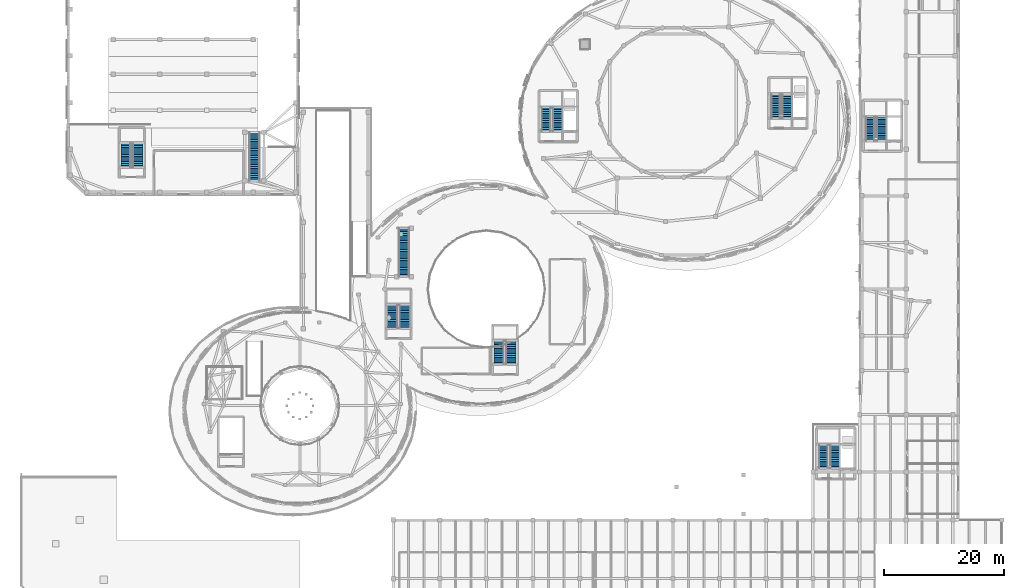
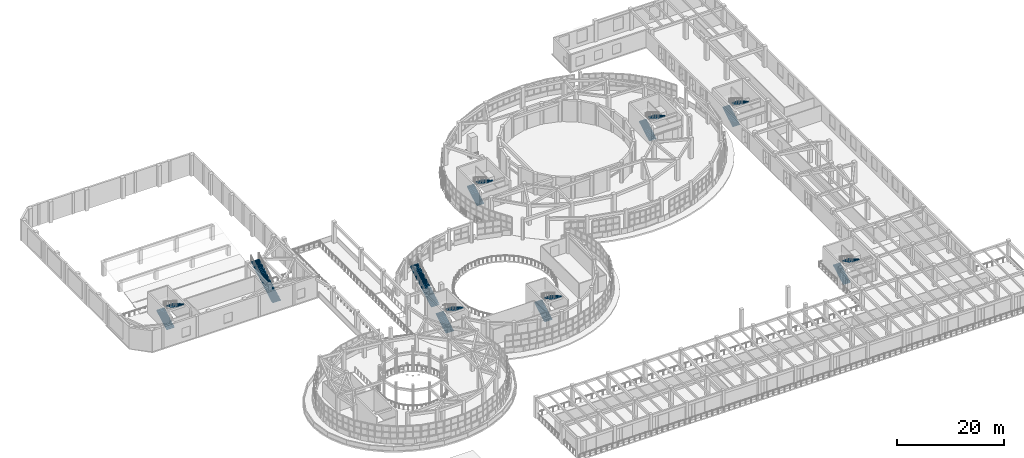
# One storey, part 84 of 98: 16 stair flights, 9 elements without a shape of their own.
"""IFC4 building model written with IfcOpenShell, lengths in metres."""

import ifcopenshell
import ifcopenshell.guid

model = None  # the IFC model being written
_history = None  # IfcOwnerHistory: only IFC2X3 demands one
_inside = {}  # id of a spatial element -> (the spatial element, [elements in it])
_under = {}  # id of a project, library or spatial element -> (it, [spatial elements below it])
_declared = {}  # id of a project -> (the project, [libraries it declares])
_typed = {}  # id of a type object -> (the type object, [elements of that type])
_made_of = {}  # id of a material, layer set ... -> (it, [elements and type objects made of it])


def new_model(schema):
    """Start an empty IFC model of exactly this schema.

    Asked for "IFC4X3", IfcOpenShell would pick the latest addendum, in which some entities
    have other attributes; the version numbers below select the first issue.
    IFC2X3 requires an IfcOwnerHistory on every rooted entity: one is made here for all.
    """
    global model, _history
    if schema == "IFC4X3":
        model = ifcopenshell.file(schema_version=(4, 3, 0, 0))
    else:
        model = ifcopenshell.file(schema=schema)
    _inside.clear()
    _under.clear()
    _declared.clear()
    _typed.clear()
    _made_of.clear()
    _history = None
    if model.schema == "IFC2X3":
        org = make("IfcOrganization", Name="unknown")
        user = make(
            "IfcPersonAndOrganization",
            ThePerson=make("IfcPerson", FamilyName="unknown"),
            TheOrganization=org,
        )
        app = make(
            "IfcApplication",
            ApplicationDeveloper=org,
            Version="unknown",
            ApplicationFullName="unknown",
            ApplicationIdentifier="unknown",
        )
        _history = make(
            "IfcOwnerHistory",
            OwningUser=user,
            OwningApplication=app,
            ChangeAction="ADDED",
            CreationDate=0,
        )
    return model


def make(cls, **values):
    """One entity of the class cls with the attributes given. An attribute that is None is left unset."""
    return model.create_entity(
        cls, **{name: value for name, value in values.items() if value is not None}
    )


def rooted(cls, **values):
    """An entity with a GlobalId (a new one), such as an element, a storey or a relation."""
    return make(cls, GlobalId=ifcopenshell.guid.new(), OwnerHistory=_history, **values)


def si_unit(unit_type, name, prefix=None):
    """IfcSIUnit, for example si_unit("LENGTHUNIT", "METRE", prefix="MILLI")."""
    return make("IfcSIUnit", UnitType=unit_type, Prefix=prefix, Name=name)


def assignment(units):
    """IfcUnitAssignment: the units of a project."""
    return None if units is None else make("IfcUnitAssignment", Units=units)


def point(xyz):
    """IfcCartesianPoint."""
    return None if xyz is None else make("IfcCartesianPoint", Coordinates=xyz)


def direction(xyz):
    """IfcDirection."""
    return None if xyz is None else make("IfcDirection", DirectionRatios=xyz)


def frame(location, z_axis=None, x_axis=None):
    """IfcAxis2Placement3D, a coordinate frame: its origin and axes. An axis left out is left unset."""
    return make(
        "IfcAxis2Placement3D",
        Location=point(location),
        Axis=direction(z_axis),
        RefDirection=direction(x_axis),
    )


def origin():
    """The frame at (0, 0, 0) with its axes left unset."""
    return frame((0.0, 0.0, 0.0))


def place(relative_to, where):
    """IfcLocalPlacement: puts the frame where relative to a parent placement (None: the world)."""
    return make(
        "IfcLocalPlacement", PlacementRelTo=relative_to, RelativePlacement=where
    )


def context(
    kind, dimensions, precision=None, world=None, true_north=None, identifier=None
):
    """IfcGeometricRepresentationContext, for example the 3D "Model" context."""
    return make(
        "IfcGeometricRepresentationContext",
        ContextIdentifier=identifier,
        ContextType=kind,
        CoordinateSpaceDimension=dimensions,
        Precision=precision,
        WorldCoordinateSystem=world,
        TrueNorth=true_north,
    )


def subcontext(parent, identifier, kind, view, scale=None):
    """IfcGeometricRepresentationSubContext, for example "Body" below "Model"."""
    return make(
        "IfcGeometricRepresentationSubContext",
        ContextIdentifier=identifier,
        ContextType=kind,
        ParentContext=parent,
        TargetScale=scale,
        TargetView=view,
    )


def project(units=None, contexts=None):
    """IfcProject with its units and contexts."""
    return rooted(
        "IfcProject",
        Name="project",
        RepresentationContexts=contexts,
        UnitsInContext=assignment(units),
    )


def spatial(cls, under=None, at=None, **own):
    """A site, building, storey or space (cls), placed at a placement, below another one or the project."""
    s = rooted(cls, ObjectPlacement=at, **own)
    if under is not None:
        _under.setdefault(under.id(), (under, []))[1].append(s)
    return s


def polyline(points):
    """IfcPolyline through the points."""
    return make("IfcPolyline", Points=[point(p) for p in points])


def outline(outer, holes=None, kind="AREA"):
    """IfcArbitraryClosedProfileDef: a profile drawn as a closed curve; with holes, ...WithVoids."""
    if holes is None:
        return make("IfcArbitraryClosedProfileDef", ProfileType=kind, OuterCurve=outer)
    return make(
        "IfcArbitraryProfileDefWithVoids",
        ProfileType=kind,
        OuterCurve=outer,
        InnerCurves=holes,
    )


def extrude(swept, where, along, depth):
    """IfcExtrudedAreaSolid: the profile swept, set in the frame where, extruded along a direction by depth."""
    return make(
        "IfcExtrudedAreaSolid",
        SweptArea=swept,
        Position=where,
        ExtrudedDirection=direction(along),
        Depth=depth,
    )


def shape(context_of_items, identifier, shape_type, items):
    """IfcShapeRepresentation: the items that make up one representation, for example the "Body"."""
    return make(
        "IfcShapeRepresentation",
        ContextOfItems=context_of_items,
        RepresentationIdentifier=identifier,
        RepresentationType=shape_type,
        Items=items,
    )


def material(Name=None, Category=None):
    """IfcMaterial."""
    return make("IfcMaterial", Name=Name, Category=Category)


def layer(
    of_material, thickness, ventilated=None, Name=None, Category=None, Priority=None
):
    """IfcMaterialLayer: one layer of a wall or slab, of a material (None: an air gap)."""
    return make(
        "IfcMaterialLayer",
        Material=of_material,
        LayerThickness=thickness,
        IsVentilated=ventilated,
        Name=Name,
        Category=Category,
        Priority=Priority,
    )


def layer_set(layers, Name=None):
    """IfcMaterialLayerSet."""
    return make("IfcMaterialLayerSet", MaterialLayers=layers, LayerSetName=Name)


def made_of(thing, what):
    """Note that an element or type object is made of a material, layer set ...; save() writes the relation."""
    if what is not None:
        _made_of.setdefault(what.id(), (what, []))[1].append(thing)
    return thing


def type_object(cls, material=None, **own):
    """A type object (cls), such as IfcWallType, which elements share."""
    return made_of(rooted(cls, **own), material)


def element(
    cls,
    number,
    at=None,
    inside=None,
    cuts=None,
    type_object=None,
    material=None,
    context=None,
    identifier="Body",
    shape_type=None,
    held_by="IfcProductDefinitionShape",
    body=None,
    shapes=None,
    **own,
):
    """One element of the class cls, such as IfcWall. Its Tag is "e" and its number.

    at: its placement. inside: the storey or other place that contains it. cuts: it is an
    opening in that element (IfcRelVoidsElement). A single representation is given by context,
    identifier, shape_type and body (its items); several are given by shapes. held_by: the class
    of the entity that holds the representations. save() writes the other relations.
    """
    e = rooted(cls, Tag="e%d" % number, ObjectPlacement=at, **own)
    if body is not None:
        shapes = [shape(context, identifier, shape_type, body)]
    if shapes is not None:
        e.Representation = make(held_by, Representations=shapes)
    if inside is not None:
        _inside.setdefault(inside.id(), (inside, []))[1].append(e)
    if cuts is not None:
        rooted(
            "IfcRelVoidsElement", RelatingBuildingElement=cuts, RelatedOpeningElement=e
        )
    if type_object is not None:
        _typed.setdefault(type_object.id(), (type_object, []))[1].append(e)
    return made_of(e, material)


def aggregate(whole, parts):
    """IfcRelAggregates: a whole, such as a stair, and the parts it consists of."""
    return rooted("IfcRelAggregates", RelatingObject=whole, RelatedObjects=parts)


def save(model, path):
    """Write the relations noted so far, then the file.

    IfcRelAggregates (storeys below a building ...), IfcRelContainedInSpatialStructure (elements
    in a storey), IfcRelDefinesByType, IfcRelAssociatesMaterial and IfcRelDeclares: one each for
    every whole, place, type object, material and project.
    """
    for whole, parts in _under.values():
        aggregate(whole, parts)
    for where, things in _inside.values():
        rooted(
            "IfcRelContainedInSpatialStructure",
            RelatedElements=things,
            RelatingStructure=where,
        )
    for kind, things in _typed.values():
        rooted("IfcRelDefinesByType", RelatedObjects=things, RelatingType=kind)
    for what, things in _made_of.values():
        rooted("IfcRelAssociatesMaterial", RelatedObjects=things, RelatingMaterial=what)
    for by, libraries in _declared.values():
        rooted("IfcRelDeclares", RelatingContext=by, RelatedDefinitions=libraries)
    model.write(path)


model = new_model("IFC4")

# Units and contexts
model_context = context("Model", 3, precision=1e-05, world=origin(), true_north=direction((0.0, 1.0)))
body_context = subcontext(model_context, "Body", "Model", "MODEL_VIEW")
ifc_project = project(units=[si_unit("LENGTHUNIT", "METRE"), si_unit("AREAUNIT", "SQUARE_METRE"), si_unit("VOLUMEUNIT", "CUBIC_METRE"), si_unit("PLANEANGLEUNIT", "RADIAN"), si_unit("MASSUNIT", "GRAM", prefix="KILO")], contexts=[model_context])

# Site, building, storey
site_placement = place(None, origin())
site = spatial("IfcSite", under=ifc_project, at=site_placement, CompositionType="ELEMENT")
building_placement = place(site_placement, origin())
building = spatial("IfcBuilding", under=site, at=building_placement, Name="Pelvatis Terrace Science Centre", CompositionType="ELEMENT")
storey_placement = place(building_placement, frame((0.0, 0.0, 5.39990234375)))
storey = spatial("IfcBuildingStorey", under=building, at=storey_placement, Name="L01", CompositionType="ELEMENT", Elevation=5.39990234375)

# Stair, stair flights
ifc_material_1 = material(Name="Concrete C35/45", Category="concrete")
stair_type_1 = type_object("IfcStairType", Name="STR-2RUN-1500-48", PredefinedType="TWO_STRAIGHT_RUN_STAIR", material=ifc_material_1)
stair_1_placement = place(storey_placement, origin())
stair_1 = element("IfcStair", 1, at=stair_1_placement, inside=storey, type_object=stair_type_1, Name="Protected core stair ST-01-L01", PredefinedType="TWO_STRAIGHT_RUN_STAIR")
ifc_material_2 = material(Name="Concrete C35/45", Category="concrete")
ifc_layer_1 = layer(ifc_material_2, 0.179931640625)
ifc_layer_set_1 = layer_set([ifc_layer_1], Name="Concrete C35/45")
stair_flight_type_1 = type_object("IfcStairFlightType", Name="SFL-RC-1500", PredefinedType="STRAIGHT", material=ifc_layer_set_1)
stair_flight_1_placement = place(storey_placement, frame((87.949951171875, 81.0, 0.0), z_axis=(0.0, 0.0, 1.0), x_axis=(0.0, 1.0, 0.0)))
stair_flight_1 = element("IfcStairFlight", 2, at=stair_flight_1_placement, type_object=stair_flight_type_1, Name="ST-01-L01 flight 1", NumberOfRisers=14, NumberOfTreads=13, PredefinedType="STRAIGHT", RiserHeight=0.171428571, TreadLength=0.3, context=body_context, shape_type="SweptSolid", body=[
    extrude(outline(polyline([(0.0, 0.0), (0.0, 0.17138671875), (0.300048828125, 0.17138671875), (0.300048828125, 0.3427734375), (0.60009765625, 0.3427734375), (0.60009765625, 0.514404296875), (0.89990234375, 0.514404296875), (0.89990234375, 0.685791015625), (1.199951171875, 0.685791015625), (1.199951171875, 0.857177734375), (1.5, 0.857177734375), (1.5, 1.028564453125), (1.800048828125, 1.028564453125), (1.800048828125, 1.199951171875), (2.10009765625, 1.199951171875), (2.10009765625, 1.371337890625), (2.39990234375, 1.371337890625), (2.39990234375, 1.54296875), (2.699951171875, 1.54296875), (2.699951171875, 1.71435546875), (3.0, 1.71435546875), (3.0, 1.8857421875), (3.300048828125, 1.8857421875), (3.300048828125, 2.05712890625), (3.60009765625, 2.05712890625), (3.60009765625, 2.228515625), (3.89990234375, 2.228515625), (3.89990234375, 2.39990234375), (3.89990234375, 2.021240234375), (0.362548828125, 0.0), (0.0, 0.0)])), frame((0.0, 0.75, 0.0), z_axis=(0.0, -1.0, 0.0), x_axis=(1.0, 0.0, 0.0)), (0.0, 0.0, 1.0), 1.5),
])
stair_flight_2_placement = place(storey_placement, frame((89.85009765625, 84.89990234375, 2.400146484375), z_axis=(0.0, 0.0, 1.0), x_axis=(0.0, -1.0, 0.0)))
stair_flight_2 = element("IfcStairFlight", 3, at=stair_flight_2_placement, type_object=stair_flight_type_1, Name="ST-01-L01 flight 2", NumberOfRisers=14, NumberOfTreads=13, PredefinedType="STRAIGHT", RiserHeight=0.171428571, TreadLength=0.3, context=body_context, shape_type="SweptSolid", body=[
    extrude(outline(polyline([(0.0, 0.0), (0.0, 0.17138671875), (0.300048828125, 0.17138671875), (0.300048828125, 0.3427734375), (0.60009765625, 0.3427734375), (0.60009765625, 0.514404296875), (0.89990234375, 0.514404296875), (0.89990234375, 0.685791015625), (1.199951171875, 0.685791015625), (1.199951171875, 0.857177734375), (1.5, 0.857177734375), (1.5, 1.028564453125), (1.800048828125, 1.028564453125), (1.800048828125, 1.199951171875), (2.10009765625, 1.199951171875), (2.10009765625, 1.371337890625), (2.39990234375, 1.371337890625), (2.39990234375, 1.54296875), (2.699951171875, 1.54296875), (2.699951171875, 1.71435546875), (3.0, 1.71435546875), (3.0, 1.8857421875), (3.300048828125, 1.8857421875), (3.300048828125, 2.05712890625), (3.60009765625, 2.05712890625), (3.60009765625, 2.228515625), (3.89990234375, 2.228515625), (3.89990234375, 2.39990234375), (3.89990234375, 2.021240234375), (0.362548828125, 0.0), (0.0, 0.0)])), frame((0.0, 0.75, 0.0), z_axis=(0.0, -1.0, 0.0), x_axis=(1.0, 0.0, 0.0)), (0.0, 0.0, 1.0), 1.5),
])
aggregate(stair_1, [stair_flight_1, stair_flight_2])

stair_2_placement = place(storey_placement, origin())
stair_2 = element("IfcStair", 4, at=stair_2_placement, inside=storey, type_object=stair_type_1, Name="Protected core stair ST-02-L01", PredefinedType="TWO_STRAIGHT_RUN_STAIR")
stair_flight_3_placement = place(storey_placement, frame((126.35009765625, 83.199951171875, 0.0), z_axis=(0.0, 0.0, 1.0), x_axis=(0.0, 1.0, 0.0)))
stair_flight_3 = element("IfcStairFlight", 5, at=stair_flight_3_placement, type_object=stair_flight_type_1, Name="ST-02-L01 flight 1", NumberOfRisers=14, NumberOfTreads=13, PredefinedType="STRAIGHT", RiserHeight=0.171428571, TreadLength=0.3, context=body_context, shape_type="SweptSolid", body=[
    extrude(outline(polyline([(0.0, 0.0), (0.0, 0.17138671875), (0.300048828125, 0.17138671875), (0.300048828125, 0.3427734375), (0.60009765625, 0.3427734375), (0.60009765625, 0.514404296875), (0.89990234375, 0.514404296875), (0.89990234375, 0.685791015625), (1.199951171875, 0.685791015625), (1.199951171875, 0.857177734375), (1.5, 0.857177734375), (1.5, 1.028564453125), (1.800048828125, 1.028564453125), (1.800048828125, 1.199951171875), (2.10009765625, 1.199951171875), (2.10009765625, 1.371337890625), (2.39990234375, 1.371337890625), (2.39990234375, 1.54296875), (2.699951171875, 1.54296875), (2.699951171875, 1.71435546875), (3.0, 1.71435546875), (3.0, 1.8857421875), (3.300048828125, 1.8857421875), (3.300048828125, 2.05712890625), (3.60009765625, 2.05712890625), (3.60009765625, 2.228515625), (3.89990234375, 2.228515625), (3.89990234375, 2.39990234375), (3.89990234375, 2.021240234375), (0.362548828125, 0.0), (0.0, 0.0)])), frame((0.0, 0.75, 0.0), z_axis=(0.0, -1.0, 0.0), x_axis=(1.0, 0.0, 0.0)), (0.0, 0.0, 1.0), 1.5),
])
stair_flight_4_placement = place(storey_placement, frame((128.25, 87.10009765625, 2.400146484375), z_axis=(0.0, 0.0, 1.0), x_axis=(0.0, -1.0, 0.0)))
stair_flight_4 = element("IfcStairFlight", 6, at=stair_flight_4_placement, type_object=stair_flight_type_1, Name="ST-02-L01 flight 2", NumberOfRisers=14, NumberOfTreads=13, PredefinedType="STRAIGHT", RiserHeight=0.171428571, TreadLength=0.3, context=body_context, shape_type="SweptSolid", body=[
    extrude(outline(polyline([(0.0, 0.0), (0.0, 0.17138671875), (0.300048828125, 0.17138671875), (0.300048828125, 0.3427734375), (0.60009765625, 0.3427734375), (0.60009765625, 0.514404296875), (0.89990234375, 0.514404296875), (0.89990234375, 0.685791015625), (1.199951171875, 0.685791015625), (1.199951171875, 0.857177734375), (1.5, 0.857177734375), (1.5, 1.028564453125), (1.800048828125, 1.028564453125), (1.800048828125, 1.199951171875), (2.10009765625, 1.199951171875), (2.10009765625, 1.371337890625), (2.39990234375, 1.371337890625), (2.39990234375, 1.54296875), (2.699951171875, 1.54296875), (2.699951171875, 1.71435546875), (3.0, 1.71435546875), (3.0, 1.8857421875), (3.300048828125, 1.8857421875), (3.300048828125, 2.05712890625), (3.60009765625, 2.05712890625), (3.60009765625, 2.228515625), (3.89990234375, 2.228515625), (3.89990234375, 2.39990234375), (3.89990234375, 2.021240234375), (0.362548828125, 0.0), (0.0, 0.0)])), frame((0.0, 0.75, 0.0), z_axis=(0.0, -1.0, 0.0), x_axis=(1.0, 0.0, 0.0)), (0.0, 0.0, 1.0), 1.5),
])
aggregate(stair_2, [stair_flight_3, stair_flight_4])

stair_3_placement = place(storey_placement, origin())
stair_3 = element("IfcStair", 7, at=stair_3_placement, inside=storey, type_object=stair_type_1, Name="Protected core stair ST-03-L01", PredefinedType="TWO_STRAIGHT_RUN_STAIR")
stair_flight_5_placement = place(storey_placement, frame((142.14990234375, 79.39990234375, 0.0), z_axis=(0.0, 0.0, 1.0), x_axis=(0.0, 1.0, 0.0)))
stair_flight_5 = element("IfcStairFlight", 8, at=stair_flight_5_placement, type_object=stair_flight_type_1, Name="ST-03-L01 flight 1", NumberOfRisers=14, NumberOfTreads=13, PredefinedType="STRAIGHT", RiserHeight=0.171428571, TreadLength=0.3, context=body_context, shape_type="SweptSolid", body=[
    extrude(outline(polyline([(0.0, 0.0), (0.0, 0.17138671875), (0.300048828125, 0.17138671875), (0.300048828125, 0.3427734375), (0.60009765625, 0.3427734375), (0.60009765625, 0.514404296875), (0.89990234375, 0.514404296875), (0.89990234375, 0.685791015625), (1.199951171875, 0.685791015625), (1.199951171875, 0.857177734375), (1.5, 0.857177734375), (1.5, 1.028564453125), (1.800048828125, 1.028564453125), (1.800048828125, 1.199951171875), (2.10009765625, 1.199951171875), (2.10009765625, 1.371337890625), (2.39990234375, 1.371337890625), (2.39990234375, 1.54296875), (2.699951171875, 1.54296875), (2.699951171875, 1.71435546875), (3.0, 1.71435546875), (3.0, 1.8857421875), (3.300048828125, 1.8857421875), (3.300048828125, 2.05712890625), (3.60009765625, 2.05712890625), (3.60009765625, 2.228515625), (3.89990234375, 2.228515625), (3.89990234375, 2.39990234375), (3.89990234375, 2.021240234375), (0.362548828125, 0.0), (0.0, 0.0)])), frame((0.0, 0.75, 0.0), z_axis=(0.0, -1.0, 0.0), x_axis=(1.0, 0.0, 0.0)), (0.0, 0.0, 1.0), 1.5),
])
stair_flight_6_placement = place(storey_placement, frame((144.050048828125, 83.300048828125, 2.400146484375), z_axis=(0.0, 0.0, 1.0), x_axis=(0.0, -1.0, 0.0)))
stair_flight_6 = element("IfcStairFlight", 9, at=stair_flight_6_placement, type_object=stair_flight_type_1, Name="ST-03-L01 flight 2", NumberOfRisers=14, NumberOfTreads=13, PredefinedType="STRAIGHT", RiserHeight=0.171428571, TreadLength=0.3, context=body_context, shape_type="SweptSolid", body=[
    extrude(outline(polyline([(0.0, 0.0), (0.0, 0.17138671875), (0.300048828125, 0.17138671875), (0.300048828125, 0.3427734375), (0.60009765625, 0.3427734375), (0.60009765625, 0.514404296875), (0.89990234375, 0.514404296875), (0.89990234375, 0.685791015625), (1.199951171875, 0.685791015625), (1.199951171875, 0.857177734375), (1.5, 0.857177734375), (1.5, 1.028564453125), (1.800048828125, 1.028564453125), (1.800048828125, 1.199951171875), (2.10009765625, 1.199951171875), (2.10009765625, 1.371337890625), (2.39990234375, 1.371337890625), (2.39990234375, 1.54296875), (2.699951171875, 1.54296875), (2.699951171875, 1.71435546875), (3.0, 1.71435546875), (3.0, 1.8857421875), (3.300048828125, 1.8857421875), (3.300048828125, 2.05712890625), (3.60009765625, 2.05712890625), (3.60009765625, 2.228515625), (3.89990234375, 2.228515625), (3.89990234375, 2.39990234375), (3.89990234375, 2.021240234375), (0.362548828125, 0.0), (0.0, 0.0)])), frame((0.0, 0.75, 0.0), z_axis=(0.0, -1.0, 0.0), x_axis=(1.0, 0.0, 0.0)), (0.0, 0.0, 1.0), 1.5),
])
aggregate(stair_3, [stair_flight_5, stair_flight_6])

stair_4_placement = place(storey_placement, origin())
stair_4 = element("IfcStair", 10, at=stair_4_placement, inside=storey, type_object=stair_type_1, Name="Protected core stair ST-04-L01", PredefinedType="TWO_STRAIGHT_RUN_STAIR")
stair_flight_7_placement = place(storey_placement, frame((134.35009765625, 24.60009765625, 0.0), z_axis=(0.0, 0.0, 1.0), x_axis=(0.0, 1.0, 0.0)))
stair_flight_7 = element("IfcStairFlight", 11, at=stair_flight_7_placement, type_object=stair_flight_type_1, Name="ST-04-L01 flight 1", NumberOfRisers=14, NumberOfTreads=13, PredefinedType="STRAIGHT", RiserHeight=0.171428571, TreadLength=0.3, context=body_context, shape_type="SweptSolid", body=[
    extrude(outline(polyline([(0.0, 0.0), (0.0, 0.17138671875), (0.300048828125, 0.17138671875), (0.300048828125, 0.3427734375), (0.60009765625, 0.3427734375), (0.60009765625, 0.514404296875), (0.89990234375, 0.514404296875), (0.89990234375, 0.685791015625), (1.199951171875, 0.685791015625), (1.199951171875, 0.857177734375), (1.5, 0.857177734375), (1.5, 1.028564453125), (1.800048828125, 1.028564453125), (1.800048828125, 1.199951171875), (2.10009765625, 1.199951171875), (2.10009765625, 1.371337890625), (2.39990234375, 1.371337890625), (2.39990234375, 1.54296875), (2.699951171875, 1.54296875), (2.699951171875, 1.71435546875), (3.0, 1.71435546875), (3.0, 1.8857421875), (3.300048828125, 1.8857421875), (3.300048828125, 2.05712890625), (3.60009765625, 2.05712890625), (3.60009765625, 2.228515625), (3.89990234375, 2.228515625), (3.89990234375, 2.39990234375), (3.89990234375, 2.021240234375), (0.362548828125, 0.0), (0.0, 0.0)])), frame((0.0, 0.75, 0.0), z_axis=(0.0, -1.0, 0.0), x_axis=(1.0, 0.0, 0.0)), (0.0, 0.0, 1.0), 1.5),
])
stair_flight_8_placement = place(storey_placement, frame((136.25, 28.5, 2.400146484375), z_axis=(0.0, 0.0, 1.0), x_axis=(0.0, -1.0, 0.0)))
stair_flight_8 = element("IfcStairFlight", 12, at=stair_flight_8_placement, type_object=stair_flight_type_1, Name="ST-04-L01 flight 2", NumberOfRisers=14, NumberOfTreads=13, PredefinedType="STRAIGHT", RiserHeight=0.171428571, TreadLength=0.3, context=body_context, shape_type="SweptSolid", body=[
    extrude(outline(polyline([(0.0, 0.0), (0.0, 0.17138671875), (0.300048828125, 0.17138671875), (0.300048828125, 0.3427734375), (0.60009765625, 0.3427734375), (0.60009765625, 0.514404296875), (0.89990234375, 0.514404296875), (0.89990234375, 0.685791015625), (1.199951171875, 0.685791015625), (1.199951171875, 0.857177734375), (1.5, 0.857177734375), (1.5, 1.028564453125), (1.800048828125, 1.028564453125), (1.800048828125, 1.199951171875), (2.10009765625, 1.199951171875), (2.10009765625, 1.371337890625), (2.39990234375, 1.371337890625), (2.39990234375, 1.54296875), (2.699951171875, 1.54296875), (2.699951171875, 1.71435546875), (3.0, 1.71435546875), (3.0, 1.8857421875), (3.300048828125, 1.8857421875), (3.300048828125, 2.05712890625), (3.60009765625, 2.05712890625), (3.60009765625, 2.228515625), (3.89990234375, 2.228515625), (3.89990234375, 2.39990234375), (3.89990234375, 2.021240234375), (0.362548828125, 0.0), (0.0, 0.0)])), frame((0.0, 0.75, 0.0), z_axis=(0.0, -1.0, 0.0), x_axis=(1.0, 0.0, 0.0)), (0.0, 0.0, 1.0), 1.5),
])
aggregate(stair_4, [stair_flight_7, stair_flight_8])

ifc_material_3 = material(Name="Concrete C35/45", Category="concrete")
stair_type_2 = type_object("IfcStairType", Name="STR-2RUN-1650-48", PredefinedType="TWO_STRAIGHT_RUN_STAIR", material=ifc_material_3)
stair_5_placement = place(storey_placement, origin())
stair_5 = element("IfcStair", 13, at=stair_5_placement, inside=storey, type_object=stair_type_2, Name="Protected exit stair ST-05-L01", PredefinedType="TWO_STRAIGHT_RUN_STAIR")
ifc_material_4 = material(Name="Concrete C35/45", Category="concrete")
ifc_layer_2 = layer(ifc_material_4, 0.18994140625)
ifc_layer_set_2 = layer_set([ifc_layer_2], Name="Concrete C35/45")
stair_flight_type_2 = type_object("IfcStairFlightType", Name="SFL-RC-1650", PredefinedType="STRAIGHT", material=ifc_layer_set_2)
stair_flight_9_placement = place(storey_placement, frame((62.27490234375, 48.0, 0.0), z_axis=(0.0, 0.0, 1.0), x_axis=(0.0, 1.0, 0.0)))
stair_flight_9 = element("IfcStairFlight", 14, at=stair_flight_9_placement, type_object=stair_flight_type_2, Name="ST-05-L01 flight 1", NumberOfRisers=14, NumberOfTreads=13, PredefinedType="STRAIGHT", RiserHeight=0.171428571, TreadLength=0.3, context=body_context, shape_type="SweptSolid", body=[
    extrude(outline(polyline([(0.0, 0.0), (0.0, 0.17138671875), (0.300048828125, 0.17138671875), (0.300048828125, 0.3427734375), (0.60009765625, 0.3427734375), (0.60009765625, 0.514404296875), (0.89990234375, 0.514404296875), (0.89990234375, 0.685791015625), (1.199951171875, 0.685791015625), (1.199951171875, 0.857177734375), (1.5, 0.857177734375), (1.5, 1.028564453125), (1.800048828125, 1.028564453125), (1.800048828125, 1.199951171875), (2.10009765625, 1.199951171875), (2.10009765625, 1.371337890625), (2.39990234375, 1.371337890625), (2.39990234375, 1.54296875), (2.699951171875, 1.54296875), (2.699951171875, 1.71435546875), (3.0, 1.71435546875), (3.0, 1.8857421875), (3.300048828125, 1.8857421875), (3.300048828125, 2.05712890625), (3.60009765625, 2.05712890625), (3.60009765625, 2.228515625), (3.89990234375, 2.228515625), (3.89990234375, 2.39990234375), (3.89990234375, 2.009765625), (0.3828125, 0.0), (0.0, 0.0)])), frame((0.0, 0.824951171875, 0.0), z_axis=(0.0, -1.0, 0.0), x_axis=(1.0, 0.0, 0.0)), (0.0, 0.0, 1.0), 1.64990234375),
])
stair_flight_10_placement = place(storey_placement, frame((64.324951171875, 51.89990234375, 2.400146484375), z_axis=(0.0, 0.0, 1.0), x_axis=(0.0, -1.0, 0.0)))
stair_flight_10 = element("IfcStairFlight", 15, at=stair_flight_10_placement, type_object=stair_flight_type_2, Name="ST-05-L01 flight 2", NumberOfRisers=14, NumberOfTreads=13, PredefinedType="STRAIGHT", RiserHeight=0.171428571, TreadLength=0.3, context=body_context, shape_type="SweptSolid", body=[
    extrude(outline(polyline([(0.0, 0.0), (0.0, 0.17138671875), (0.300048828125, 0.17138671875), (0.300048828125, 0.3427734375), (0.60009765625, 0.3427734375), (0.60009765625, 0.514404296875), (0.89990234375, 0.514404296875), (0.89990234375, 0.685791015625), (1.199951171875, 0.685791015625), (1.199951171875, 0.857177734375), (1.5, 0.857177734375), (1.5, 1.028564453125), (1.800048828125, 1.028564453125), (1.800048828125, 1.199951171875), (2.10009765625, 1.199951171875), (2.10009765625, 1.371337890625), (2.39990234375, 1.371337890625), (2.39990234375, 1.54296875), (2.699951171875, 1.54296875), (2.699951171875, 1.71435546875), (3.0, 1.71435546875), (3.0, 1.8857421875), (3.300048828125, 1.8857421875), (3.300048828125, 2.05712890625), (3.60009765625, 2.05712890625), (3.60009765625, 2.228515625), (3.89990234375, 2.228515625), (3.89990234375, 2.39990234375), (3.89990234375, 2.009765625), (0.3828125, 0.0), (0.0, 0.0)])), frame((0.0, 0.824951171875, 0.0), z_axis=(0.0, -1.0, 0.0), x_axis=(1.0, 0.0, 0.0)), (0.0, 0.0, 1.0), 1.64990234375),
])
aggregate(stair_5, [stair_flight_9, stair_flight_10])

stair_6_placement = place(storey_placement, origin())
stair_6 = element("IfcStair", 16, at=stair_6_placement, inside=storey, type_object=stair_type_2, Name="Protected exit stair ST-06-L01", PredefinedType="TWO_STRAIGHT_RUN_STAIR")
stair_flight_11_placement = place(storey_placement, frame((80.074951171875, 42.0, 0.0), z_axis=(0.0, 0.0, 1.0), x_axis=(0.0, 1.0, 0.0)))
stair_flight_11 = element("IfcStairFlight", 17, at=stair_flight_11_placement, type_object=stair_flight_type_2, Name="ST-06-L01 flight 1", NumberOfRisers=14, NumberOfTreads=13, PredefinedType="STRAIGHT", RiserHeight=0.171428571, TreadLength=0.3, context=body_context, shape_type="SweptSolid", body=[
    extrude(outline(polyline([(0.0, 0.0), (0.0, 0.17138671875), (0.300048828125, 0.17138671875), (0.300048828125, 0.3427734375), (0.60009765625, 0.3427734375), (0.60009765625, 0.514404296875), (0.89990234375, 0.514404296875), (0.89990234375, 0.685791015625), (1.199951171875, 0.685791015625), (1.199951171875, 0.857177734375), (1.5, 0.857177734375), (1.5, 1.028564453125), (1.800048828125, 1.028564453125), (1.800048828125, 1.199951171875), (2.10009765625, 1.199951171875), (2.10009765625, 1.371337890625), (2.39990234375, 1.371337890625), (2.39990234375, 1.54296875), (2.699951171875, 1.54296875), (2.699951171875, 1.71435546875), (3.0, 1.71435546875), (3.0, 1.8857421875), (3.300048828125, 1.8857421875), (3.300048828125, 2.05712890625), (3.60009765625, 2.05712890625), (3.60009765625, 2.228515625), (3.89990234375, 2.228515625), (3.89990234375, 2.39990234375), (3.89990234375, 2.009765625), (0.3828125, 0.0), (0.0, 0.0)])), frame((0.0, 0.824951171875, 0.0), z_axis=(0.0, -1.0, 0.0), x_axis=(1.0, 0.0, 0.0)), (0.0, 0.0, 1.0), 1.64990234375),
])
stair_flight_12_placement = place(storey_placement, frame((82.125, 45.89990234375, 2.400146484375), z_axis=(0.0, 0.0, 1.0), x_axis=(0.0, -1.0, 0.0)))
stair_flight_12 = element("IfcStairFlight", 18, at=stair_flight_12_placement, type_object=stair_flight_type_2, Name="ST-06-L01 flight 2", NumberOfRisers=14, NumberOfTreads=13, PredefinedType="STRAIGHT", RiserHeight=0.171428571, TreadLength=0.3, context=body_context, shape_type="SweptSolid", body=[
    extrude(outline(polyline([(0.0, 0.0), (0.0, 0.17138671875), (0.300048828125, 0.17138671875), (0.300048828125, 0.3427734375), (0.60009765625, 0.3427734375), (0.60009765625, 0.514404296875), (0.89990234375, 0.514404296875), (0.89990234375, 0.685791015625), (1.199951171875, 0.685791015625), (1.199951171875, 0.857177734375), (1.5, 0.857177734375), (1.5, 1.028564453125), (1.800048828125, 1.028564453125), (1.800048828125, 1.199951171875), (2.10009765625, 1.199951171875), (2.10009765625, 1.371337890625), (2.39990234375, 1.371337890625), (2.39990234375, 1.54296875), (2.699951171875, 1.54296875), (2.699951171875, 1.71435546875), (3.0, 1.71435546875), (3.0, 1.8857421875), (3.300048828125, 1.8857421875), (3.300048828125, 2.05712890625), (3.60009765625, 2.05712890625), (3.60009765625, 2.228515625), (3.89990234375, 2.228515625), (3.89990234375, 2.39990234375), (3.89990234375, 2.009765625), (0.3828125, 0.0), (0.0, 0.0)])), frame((0.0, 0.824951171875, 0.0), z_axis=(0.0, -1.0, 0.0), x_axis=(1.0, 0.0, 0.0)), (0.0, 0.0, 1.0), 1.64990234375),
])
aggregate(stair_6, [stair_flight_11, stair_flight_12])

stair_7_placement = place(storey_placement, origin())
stair_7 = element("IfcStair", 19, at=stair_7_placement, inside=storey, type_object=stair_type_2, Name="Protected exit stair ST-07-L01", PredefinedType="TWO_STRAIGHT_RUN_STAIR")
stair_flight_13_placement = place(storey_placement, frame((17.675048828125, 75.0, 0.0), z_axis=(0.0, 0.0, 1.0), x_axis=(0.0, 1.0, 0.0)))
stair_flight_13 = element("IfcStairFlight", 20, at=stair_flight_13_placement, type_object=stair_flight_type_2, Name="ST-07-L01 flight 1", NumberOfRisers=14, NumberOfTreads=13, PredefinedType="STRAIGHT", RiserHeight=0.171428571, TreadLength=0.3, context=body_context, shape_type="SweptSolid", body=[
    extrude(outline(polyline([(0.0, 0.0), (0.0, 0.17138671875), (0.300048828125, 0.17138671875), (0.300048828125, 0.3427734375), (0.60009765625, 0.3427734375), (0.60009765625, 0.514404296875), (0.89990234375, 0.514404296875), (0.89990234375, 0.685791015625), (1.199951171875, 0.685791015625), (1.199951171875, 0.857177734375), (1.5, 0.857177734375), (1.5, 1.028564453125), (1.800048828125, 1.028564453125), (1.800048828125, 1.199951171875), (2.10009765625, 1.199951171875), (2.10009765625, 1.371337890625), (2.39990234375, 1.371337890625), (2.39990234375, 1.54296875), (2.699951171875, 1.54296875), (2.699951171875, 1.71435546875), (3.0, 1.71435546875), (3.0, 1.8857421875), (3.300048828125, 1.8857421875), (3.300048828125, 2.05712890625), (3.60009765625, 2.05712890625), (3.60009765625, 2.228515625), (3.89990234375, 2.228515625), (3.89990234375, 2.39990234375), (3.89990234375, 2.009765625), (0.3828125, 0.0), (0.0, 0.0)])), frame((0.0, 0.824951171875, 0.0), z_axis=(0.0, -1.0, 0.0), x_axis=(1.0, 0.0, 0.0)), (0.0, 0.0, 1.0), 1.64990234375),
])
stair_flight_14_placement = place(storey_placement, frame((19.72509765625, 78.89990234375, 2.400146484375), z_axis=(0.0, 0.0, 1.0), x_axis=(0.0, -1.0, 0.0)))
stair_flight_14 = element("IfcStairFlight", 21, at=stair_flight_14_placement, type_object=stair_flight_type_2, Name="ST-07-L01 flight 2", NumberOfRisers=14, NumberOfTreads=13, PredefinedType="STRAIGHT", RiserHeight=0.171428571, TreadLength=0.3, context=body_context, shape_type="SweptSolid", body=[
    extrude(outline(polyline([(0.0, 0.0), (0.0, 0.17138671875), (0.300048828125, 0.17138671875), (0.300048828125, 0.3427734375), (0.60009765625, 0.3427734375), (0.60009765625, 0.514404296875), (0.89990234375, 0.514404296875), (0.89990234375, 0.685791015625), (1.199951171875, 0.685791015625), (1.199951171875, 0.857177734375), (1.5, 0.857177734375), (1.5, 1.028564453125), (1.800048828125, 1.028564453125), (1.800048828125, 1.199951171875), (2.10009765625, 1.199951171875), (2.10009765625, 1.371337890625), (2.39990234375, 1.371337890625), (2.39990234375, 1.54296875), (2.699951171875, 1.54296875), (2.699951171875, 1.71435546875), (3.0, 1.71435546875), (3.0, 1.8857421875), (3.300048828125, 1.8857421875), (3.300048828125, 2.05712890625), (3.60009765625, 2.05712890625), (3.60009765625, 2.228515625), (3.89990234375, 2.228515625), (3.89990234375, 2.39990234375), (3.89990234375, 2.009765625), (0.3828125, 0.0), (0.0, 0.0)])), frame((0.0, 0.824951171875, 0.0), z_axis=(0.0, -1.0, 0.0), x_axis=(1.0, 0.0, 0.0)), (0.0, 0.0, 1.0), 1.64990234375),
])
aggregate(stair_7, [stair_flight_13, stair_flight_14])

# Stair, stair flight
ifc_material_5 = material(Name="Concrete C35/45", Category="concrete")
stair_type_3 = type_object("IfcStairType", Name="STR-1RUN-1750-48", PredefinedType="STRAIGHT_RUN_STAIR", material=ifc_material_5)
stair_8_placement = place(storey_placement, origin())
stair_8 = element("IfcStair", 22, at=stair_8_placement, inside=storey, type_object=stair_type_3, Name="Monumental straight stair FST-03", PredefinedType="STRAIGHT_RUN_STAIR")
ifc_material_6 = material(Name="Concrete C35/45", Category="concrete")
ifc_layer_3 = layer(ifc_material_6, 0.195068359375)
ifc_layer_set_3 = layer_set([ifc_layer_3], Name="Concrete C35/45")
stair_flight_type_3 = type_object("IfcStairFlightType", Name="SFL-RC-1750", PredefinedType="STRAIGHT", material=ifc_layer_set_3)
stair_flight_15_placement = place(storey_placement, frame((64.199951171875, 56.699951171875, 0.0), z_axis=(0.0, 0.0, 1.0), x_axis=(0.0, 1.0, 0.0)))
stair_flight_15 = element("IfcStairFlight", 23, at=stair_flight_15_placement, type_object=stair_flight_type_3, Name="FST-03 flight 1", NumberOfRisers=28, NumberOfTreads=27, PredefinedType="STRAIGHT", RiserHeight=0.171428571, TreadLength=0.3, context=body_context, shape_type="SweptSolid", body=[
    extrude(outline(polyline([(0.0, 0.0), (0.0, 0.17138671875), (0.300048828125, 0.17138671875), (0.300048828125, 0.3427734375), (0.60009765625, 0.3427734375), (0.60009765625, 0.514404296875), (0.89990234375, 0.514404296875), (0.89990234375, 0.685791015625), (1.199951171875, 0.685791015625), (1.199951171875, 0.857177734375), (1.5, 0.857177734375), (1.5, 1.028564453125), (1.800048828125, 1.028564453125), (1.800048828125, 1.199951171875), (2.10009765625, 1.199951171875), (2.10009765625, 1.371337890625), (2.39990234375, 1.371337890625), (2.39990234375, 1.54296875), (2.699951171875, 1.54296875), (2.699951171875, 1.71435546875), (3.0, 1.71435546875), (3.0, 1.8857421875), (3.300048828125, 1.8857421875), (3.300048828125, 2.05712890625), (3.60009765625, 2.05712890625), (3.60009765625, 2.228515625), (3.89990234375, 2.228515625), (3.89990234375, 2.39990234375), (4.199951171875, 2.39990234375), (4.199951171875, 2.571533203125), (4.5, 2.571533203125), (4.5, 2.742919921875), (4.800048828125, 2.742919921875), (4.800048828125, 2.914306640625), (5.10009765625, 2.914306640625), (5.10009765625, 3.085693359375), (5.39990234375, 3.085693359375), (5.39990234375, 3.257080078125), (5.699951171875, 3.257080078125), (5.699951171875, 3.428466796875), (6.0, 3.428466796875), (6.0, 3.60009765625), (6.300048828125, 3.60009765625), (6.300048828125, 3.771484375), (6.60009765625, 3.771484375), (6.60009765625, 3.94287109375), (6.89990234375, 3.94287109375), (6.89990234375, 4.1142578125), (7.199951171875, 4.1142578125), (7.199951171875, 4.28564453125), (7.5, 4.28564453125), (7.5, 4.45703125), (7.800048828125, 4.45703125), (7.800048828125, 4.628662109375), (8.10009765625, 4.628662109375), (8.10009765625, 4.800048828125), (8.10009765625, 4.40380859375), (0.39306640625, 0.0), (0.0, 0.0)])), frame((0.0, 0.875, 0.0), z_axis=(0.0, -1.0, 0.0), x_axis=(1.0, 0.0, 0.0)), (0.0, 0.0, 1.0), 1.75),
])
aggregate(stair_8, [stair_flight_15])

stair_9_placement = place(storey_placement, origin())
stair_9 = element("IfcStair", 24, at=stair_9_placement, inside=storey, type_object=stair_type_3, Name="Monumental straight stair FST-04", PredefinedType="STRAIGHT_RUN_STAIR")
stair_flight_16_placement = place(storey_placement, frame((39.199951171875, 72.699951171875, 0.0), z_axis=(0.0, 0.0, 1.0), x_axis=(0.0, 1.0, 0.0)))
stair_flight_16 = element("IfcStairFlight", 25, at=stair_flight_16_placement, type_object=stair_flight_type_3, Name="FST-04 flight 1", NumberOfRisers=28, NumberOfTreads=27, PredefinedType="STRAIGHT", RiserHeight=0.171428571, TreadLength=0.3, context=body_context, shape_type="SweptSolid", body=[
    extrude(outline(polyline([(0.0, 0.0), (0.0, 0.17138671875), (0.300048828125, 0.17138671875), (0.300048828125, 0.3427734375), (0.60009765625, 0.3427734375), (0.60009765625, 0.514404296875), (0.89990234375, 0.514404296875), (0.89990234375, 0.685791015625), (1.199951171875, 0.685791015625), (1.199951171875, 0.857177734375), (1.5, 0.857177734375), (1.5, 1.028564453125), (1.800048828125, 1.028564453125), (1.800048828125, 1.199951171875), (2.10009765625, 1.199951171875), (2.10009765625, 1.371337890625), (2.39990234375, 1.371337890625), (2.39990234375, 1.54296875), (2.699951171875, 1.54296875), (2.699951171875, 1.71435546875), (3.0, 1.71435546875), (3.0, 1.8857421875), (3.300048828125, 1.8857421875), (3.300048828125, 2.05712890625), (3.60009765625, 2.05712890625), (3.60009765625, 2.228515625), (3.89990234375, 2.228515625), (3.89990234375, 2.39990234375), (4.199951171875, 2.39990234375), (4.199951171875, 2.571533203125), (4.5, 2.571533203125), (4.5, 2.742919921875), (4.800048828125, 2.742919921875), (4.800048828125, 2.914306640625), (5.10009765625, 2.914306640625), (5.10009765625, 3.085693359375), (5.39990234375, 3.085693359375), (5.39990234375, 3.257080078125), (5.699951171875, 3.257080078125), (5.699951171875, 3.428466796875), (6.0, 3.428466796875), (6.0, 3.60009765625), (6.300048828125, 3.60009765625), (6.300048828125, 3.771484375), (6.60009765625, 3.771484375), (6.60009765625, 3.94287109375), (6.89990234375, 3.94287109375), (6.89990234375, 4.1142578125), (7.199951171875, 4.1142578125), (7.199951171875, 4.28564453125), (7.5, 4.28564453125), (7.5, 4.45703125), (7.800048828125, 4.45703125), (7.800048828125, 4.628662109375), (8.10009765625, 4.628662109375), (8.10009765625, 4.800048828125), (8.10009765625, 4.40380859375), (0.39306640625, 0.0), (0.0, 0.0)])), frame((0.0, 0.875, 0.0), z_axis=(0.0, -1.0, 0.0), x_axis=(1.0, 0.0, 0.0)), (0.0, 0.0, 1.0), 1.75),
])
aggregate(stair_9, [stair_flight_16])

save(model, "model.ifc")
